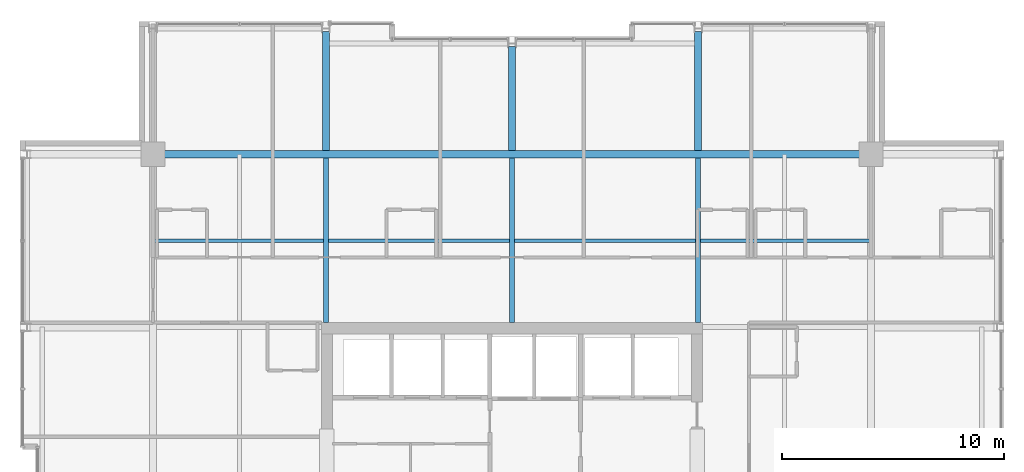
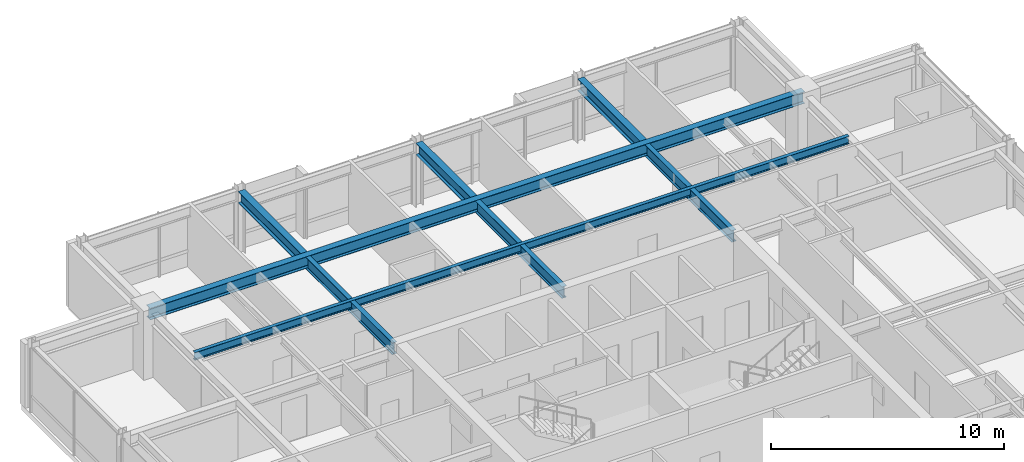
# One storey, part 19 of 31: 8 beams.
"""IFC4 building model written with IfcOpenShell, lengths in metres."""

import ifcopenshell
import ifcopenshell.guid

model = None  # the IFC model being written
_history = None  # IfcOwnerHistory: only IFC2X3 demands one
_inside = {}  # id of a spatial element -> (the spatial element, [elements in it])
_under = {}  # id of a project, library or spatial element -> (it, [spatial elements below it])
_declared = {}  # id of a project -> (the project, [libraries it declares])
_typed = {}  # id of a type object -> (the type object, [elements of that type])
_made_of = {}  # id of a material, layer set ... -> (it, [elements and type objects made of it])


def new_model(schema):
    """Start an empty IFC model of exactly this schema.

    Asked for "IFC4X3", IfcOpenShell would pick the latest addendum, in which some entities
    have other attributes; the version numbers below select the first issue.
    IFC2X3 requires an IfcOwnerHistory on every rooted entity: one is made here for all.
    """
    global model, _history
    if schema == "IFC4X3":
        model = ifcopenshell.file(schema_version=(4, 3, 0, 0))
    else:
        model = ifcopenshell.file(schema=schema)
    _inside.clear()
    _under.clear()
    _declared.clear()
    _typed.clear()
    _made_of.clear()
    _history = None
    if model.schema == "IFC2X3":
        org = make("IfcOrganization", Name="unknown")
        user = make(
            "IfcPersonAndOrganization",
            ThePerson=make("IfcPerson", FamilyName="unknown"),
            TheOrganization=org,
        )
        app = make(
            "IfcApplication",
            ApplicationDeveloper=org,
            Version="unknown",
            ApplicationFullName="unknown",
            ApplicationIdentifier="unknown",
        )
        _history = make(
            "IfcOwnerHistory",
            OwningUser=user,
            OwningApplication=app,
            ChangeAction="ADDED",
            CreationDate=0,
        )
    return model


def make(cls, **values):
    """One entity of the class cls with the attributes given. An attribute that is None is left unset."""
    return model.create_entity(
        cls, **{name: value for name, value in values.items() if value is not None}
    )


def rooted(cls, **values):
    """An entity with a GlobalId (a new one), such as an element, a storey or a relation."""
    return make(cls, GlobalId=ifcopenshell.guid.new(), OwnerHistory=_history, **values)


def si_unit(unit_type, name, prefix=None):
    """IfcSIUnit, for example si_unit("LENGTHUNIT", "METRE", prefix="MILLI")."""
    return make("IfcSIUnit", UnitType=unit_type, Prefix=prefix, Name=name)


def assignment(units):
    """IfcUnitAssignment: the units of a project."""
    return None if units is None else make("IfcUnitAssignment", Units=units)


def point(xyz):
    """IfcCartesianPoint."""
    return None if xyz is None else make("IfcCartesianPoint", Coordinates=xyz)


def direction(xyz):
    """IfcDirection."""
    return None if xyz is None else make("IfcDirection", DirectionRatios=xyz)


def frame(location, z_axis=None, x_axis=None):
    """IfcAxis2Placement3D, a coordinate frame: its origin and axes. An axis left out is left unset."""
    return make(
        "IfcAxis2Placement3D",
        Location=point(location),
        Axis=direction(z_axis),
        RefDirection=direction(x_axis),
    )


def frame_2d(location, x_axis=None):
    """IfcAxis2Placement2D, a coordinate frame in the plane: its origin and x axis."""
    return make(
        "IfcAxis2Placement2D", Location=point(location), RefDirection=direction(x_axis)
    )


def origin():
    """The frame at (0, 0, 0) with its axes left unset."""
    return frame((0.0, 0.0, 0.0))


def origin_2d():
    """The frame at (0, 0) in the plane with its x axis left unset."""
    return frame_2d((0.0, 0.0))


def place(relative_to, where):
    """IfcLocalPlacement: puts the frame where relative to a parent placement (None: the world)."""
    return make(
        "IfcLocalPlacement", PlacementRelTo=relative_to, RelativePlacement=where
    )


def context(
    kind, dimensions, precision=None, world=None, true_north=None, identifier=None
):
    """IfcGeometricRepresentationContext, for example the 3D "Model" context."""
    return make(
        "IfcGeometricRepresentationContext",
        ContextIdentifier=identifier,
        ContextType=kind,
        CoordinateSpaceDimension=dimensions,
        Precision=precision,
        WorldCoordinateSystem=world,
        TrueNorth=true_north,
    )


def subcontext(parent, identifier, kind, view, scale=None):
    """IfcGeometricRepresentationSubContext, for example "Body" below "Model"."""
    return make(
        "IfcGeometricRepresentationSubContext",
        ContextIdentifier=identifier,
        ContextType=kind,
        ParentContext=parent,
        TargetScale=scale,
        TargetView=view,
    )


def project(units=None, contexts=None):
    """IfcProject with its units and contexts."""
    return rooted(
        "IfcProject",
        Name="project",
        RepresentationContexts=contexts,
        UnitsInContext=assignment(units),
    )


def spatial(cls, under=None, at=None, **own):
    """A site, building, storey or space (cls), placed at a placement, below another one or the project."""
    s = rooted(cls, ObjectPlacement=at, **own)
    if under is not None:
        _under.setdefault(under.id(), (under, []))[1].append(s)
    return s


def profile(cls, at=None, kind="AREA", **sizes):
    """A parametric profile (cls). Its sizes go by their IFC names, for example OverallWidth=200.0."""
    return make(cls, ProfileType=kind, Position=at, **sizes)


def i_section(**sizes):
    """IfcIShapeProfileDef."""
    return profile("IfcIShapeProfileDef", **sizes)


def extrude(swept, where, along, depth):
    """IfcExtrudedAreaSolid: the profile swept, set in the frame where, extruded along a direction by depth."""
    return make(
        "IfcExtrudedAreaSolid",
        SweptArea=swept,
        Position=where,
        ExtrudedDirection=direction(along),
        Depth=depth,
    )


def shape(context_of_items, identifier, shape_type, items):
    """IfcShapeRepresentation: the items that make up one representation, for example the "Body"."""
    return make(
        "IfcShapeRepresentation",
        ContextOfItems=context_of_items,
        RepresentationIdentifier=identifier,
        RepresentationType=shape_type,
        Items=items,
    )


def material(Name=None, Category=None):
    """IfcMaterial."""
    return make("IfcMaterial", Name=Name, Category=Category)


def material_profile(
    of_material, cross_section, Name=None, Category=None, Priority=None
):
    """IfcMaterialProfile: a cross section and its material."""
    return make(
        "IfcMaterialProfile",
        Name=Name,
        Material=of_material,
        Profile=cross_section,
        Priority=Priority,
        Category=Category,
    )


def profile_set(profiles, Name=None, composite=None):
    """IfcMaterialProfileSet."""
    return make(
        "IfcMaterialProfileSet",
        Name=Name,
        MaterialProfiles=profiles,
        CompositeProfile=composite,
    )


def made_of(thing, what):
    """Note that an element or type object is made of a material, layer set ...; save() writes the relation."""
    if what is not None:
        _made_of.setdefault(what.id(), (what, []))[1].append(thing)
    return thing


def type_object(cls, material=None, **own):
    """A type object (cls), such as IfcWallType, which elements share."""
    return made_of(rooted(cls, **own), material)


def element(
    cls,
    number,
    at=None,
    inside=None,
    cuts=None,
    type_object=None,
    material=None,
    context=None,
    identifier="Body",
    shape_type=None,
    held_by="IfcProductDefinitionShape",
    body=None,
    shapes=None,
    **own,
):
    """One element of the class cls, such as IfcWall. Its Tag is "e" and its number.

    at: its placement. inside: the storey or other place that contains it. cuts: it is an
    opening in that element (IfcRelVoidsElement). A single representation is given by context,
    identifier, shape_type and body (its items); several are given by shapes. held_by: the class
    of the entity that holds the representations. save() writes the other relations.
    """
    e = rooted(cls, Tag="e%d" % number, ObjectPlacement=at, **own)
    if body is not None:
        shapes = [shape(context, identifier, shape_type, body)]
    if shapes is not None:
        e.Representation = make(held_by, Representations=shapes)
    if inside is not None:
        _inside.setdefault(inside.id(), (inside, []))[1].append(e)
    if cuts is not None:
        rooted(
            "IfcRelVoidsElement", RelatingBuildingElement=cuts, RelatedOpeningElement=e
        )
    if type_object is not None:
        _typed.setdefault(type_object.id(), (type_object, []))[1].append(e)
    return made_of(e, material)


def aggregate(whole, parts):
    """IfcRelAggregates: a whole, such as a stair, and the parts it consists of."""
    return rooted("IfcRelAggregates", RelatingObject=whole, RelatedObjects=parts)


def save(model, path):
    """Write the relations noted so far, then the file.

    IfcRelAggregates (storeys below a building ...), IfcRelContainedInSpatialStructure (elements
    in a storey), IfcRelDefinesByType, IfcRelAssociatesMaterial and IfcRelDeclares: one each for
    every whole, place, type object, material and project.
    """
    for whole, parts in _under.values():
        aggregate(whole, parts)
    for where, things in _inside.values():
        rooted(
            "IfcRelContainedInSpatialStructure",
            RelatedElements=things,
            RelatingStructure=where,
        )
    for kind, things in _typed.values():
        rooted("IfcRelDefinesByType", RelatedObjects=things, RelatingType=kind)
    for what, things in _made_of.values():
        rooted("IfcRelAssociatesMaterial", RelatedObjects=things, RelatingMaterial=what)
    for by, libraries in _declared.values():
        rooted("IfcRelDeclares", RelatingContext=by, RelatedDefinitions=libraries)
    model.write(path)


model = new_model("IFC4")

# Units and contexts
model_context = context("Model", 3, precision=1e-05, world=origin(), true_north=direction((0.0, 1.0)))
body_context = subcontext(model_context, "Body", "Model", "MODEL_VIEW")
ifc_project = project(units=[si_unit("LENGTHUNIT", "METRE"), si_unit("AREAUNIT", "SQUARE_METRE"), si_unit("VOLUMEUNIT", "CUBIC_METRE"), si_unit("PLANEANGLEUNIT", "RADIAN"), si_unit("MASSUNIT", "GRAM", prefix="KILO")], contexts=[model_context])

# Site, building, storey
site_placement = place(None, origin())
site = spatial("IfcSite", under=ifc_project, at=site_placement, CompositionType="ELEMENT")
building_placement = place(site_placement, origin())
building = spatial("IfcBuilding", under=site, at=building_placement, Name="Drelvath Grand Hotel", CompositionType="ELEMENT")
storey_placement = place(building_placement, frame((0.0, 0.0, 244.699951171875)))
storey = spatial("IfcBuildingStorey", under=building, at=storey_placement, Name="L64", CompositionType="ELEMENT", Elevation=244.699951171875)

# Beams
ifc_material = material(Name="Steel ASTM A992 Gr 50", Category="steel")
ifc_material_profile_1 = material_profile(ifc_material, i_section(OverallWidth=0.177734375, OverallDepth=0.40673828125, WebThickness=0.0078125, FlangeThickness=0.0126953125, FilletRadius=0.014892578125, at=origin_2d()), Name="W16X40")
ifc_profile_set_1 = profile_set([ifc_material_profile_1], Name="Steel ASTM A992 Gr 50")
beam_type_1 = type_object("IfcBeamType", Name="Composite Floor Joist W16X40", PredefinedType="JOIST", material=ifc_profile_set_1)
beam_1_placement = place(storey_placement, frame((-16.199951171875, 39.300048828125, 3.13671875), z_axis=(1.0, 0.0, 0.0), x_axis=(0.0, 1.0, 0.0)))
element("IfcBeam", 1, at=beam_1_placement, inside=storey, type_object=beam_type_1, Name="L64 Floor Joist J2", PredefinedType="JOIST", context=body_context, shape_type="SweptSolid", body=[
    extrude(i_section(OverallWidth=0.177734375, OverallDepth=0.40673828125, WebThickness=0.0078125, FlangeThickness=0.0126953125, FilletRadius=0.014892578125, at=origin_2d()), origin(), (0.0, 0.0, 1.0), 32.39990234375),
])
ifc_material_profile_2 = material_profile(ifc_material, i_section(OverallWidth=0.323974609375, OverallDepth=0.611083984375, WebThickness=0.0126953125, FlangeThickness=0.01904296875, FilletRadius=0.02197265625, at=origin_2d()), Name="W24X104")
ifc_profile_set_2 = profile_set([ifc_material_profile_2], Name="Steel ASTM A992 Gr 50")
beam_type_2 = type_object("IfcBeamType", Name="Primary Floor Girder W24X104", PredefinedType="BEAM", material=ifc_profile_set_2)
beam_2_placement = place(storey_placement, frame((-16.199951171875, 43.199951171875, 3.034423828125), z_axis=(1.0, 0.0, 0.0), x_axis=(0.0, 1.0, 0.0)))
element("IfcBeam", 2, at=beam_2_placement, inside=storey, type_object=beam_type_2, Name="L64 Mega Ring Girder North", PredefinedType="BEAM", context=body_context, shape_type="SweptSolid", body=[
    extrude(i_section(OverallWidth=0.323974609375, OverallDepth=0.611083984375, WebThickness=0.0126953125, FlangeThickness=0.01904296875, FilletRadius=0.02197265625, at=origin_2d()), origin(), (0.0, 0.0, 1.0), 32.39990234375),
])
beam_3_placement = place(storey_placement, frame((-8.39990234375, 43.362060546875, 3.034423828125), z_axis=(0.0, 1.0, 0.0), x_axis=(-1.0, 0.0, 0.0)))
element("IfcBeam", 3, at=beam_3_placement, inside=storey, type_object=beam_type_2, Name="L64 North Wing Girder 4", PredefinedType="BEAM", context=body_context, shape_type="SweptSolid", body=[
    extrude(i_section(OverallWidth=0.323974609375, OverallDepth=0.611083984375, WebThickness=0.0126953125, FlangeThickness=0.01904296875, FilletRadius=0.02197265625, at=origin_2d()), origin(), (0.0, 0.0, 1.0), 5.3779296875),
])
beam_4_placement = place(storey_placement, frame((0.0, 43.362060546875, 3.034423828125), z_axis=(0.0, 1.0, 0.0), x_axis=(-1.0, 0.0, 0.0)))
element("IfcBeam", 4, at=beam_4_placement, inside=storey, type_object=beam_type_2, Name="L64 North Wing Girder 5", PredefinedType="BEAM", context=body_context, shape_type="SweptSolid", body=[
    extrude(i_section(OverallWidth=0.323974609375, OverallDepth=0.611083984375, WebThickness=0.0126953125, FlangeThickness=0.01904296875, FilletRadius=0.02197265625, at=origin_2d()), origin(), (0.0, 0.0, 1.0), 4.697998046875),
])
beam_5_placement = place(storey_placement, frame((8.39990234375, 43.362060546875, 3.034423828125), z_axis=(0.0, 1.0, 0.0), x_axis=(-1.0, 0.0, 0.0)))
element("IfcBeam", 5, at=beam_5_placement, inside=storey, type_object=beam_type_2, Name="L64 North Wing Girder 6", PredefinedType="BEAM", context=body_context, shape_type="SweptSolid", body=[
    extrude(i_section(OverallWidth=0.323974609375, OverallDepth=0.611083984375, WebThickness=0.0126953125, FlangeThickness=0.01904296875, FilletRadius=0.02197265625, at=origin_2d()), origin(), (0.0, 0.0, 1.0), 5.3779296875),
])
ifc_material_profile_3 = material_profile(ifc_material, i_section(OverallWidth=0.228271484375, OverallDepth=0.607666015625, WebThickness=0.01123046875, FlangeThickness=0.017333984375, FilletRadius=0.02001953125, at=origin_2d()), Name="W24X76")
ifc_profile_set_3 = profile_set([ifc_material_profile_3], Name="Steel ASTM A992 Gr 50")
beam_type_3 = type_object("IfcBeamType", Name="Primary Floor Girder W24X76", PredefinedType="BEAM", material=ifc_profile_set_3)
for number, where, z_axis, x_axis, name in (
    (6, (-8.39990234375, 35.60009765625, 3.0361328125), (0.0, 1.0, 0.0), (-1.0, 0.0, 0.0), "L64 North Core Tie 4"),
    (7, (0.0, 35.60009765625, 3.0361328125), (0.0, 1.0, 0.0), (-1.0, 0.0, 0.0), "L64 North Core Tie 5"),
    (8, (8.39990234375, 35.60009765625, 3.0361328125), (0.0, 1.0, 0.0), (-1.0, 0.0, 0.0), "L64 North Core Tie 6"),
):
    element("IfcBeam", number, at=place(storey_placement, frame(where, z_axis=z_axis, x_axis=x_axis)), inside=storey, type_object=beam_type_3, Name=name, PredefinedType="BEAM", context=body_context, shape_type="SweptSolid", body=[
        extrude(i_section(OverallWidth=0.228271484375, OverallDepth=0.607666015625, WebThickness=0.01123046875, FlangeThickness=0.017333984375, FilletRadius=0.02001953125, at=origin_2d()), origin(), (0.0, 0.0, 1.0), 7.43798828125),
    ])

save(model, "model.ifc")
